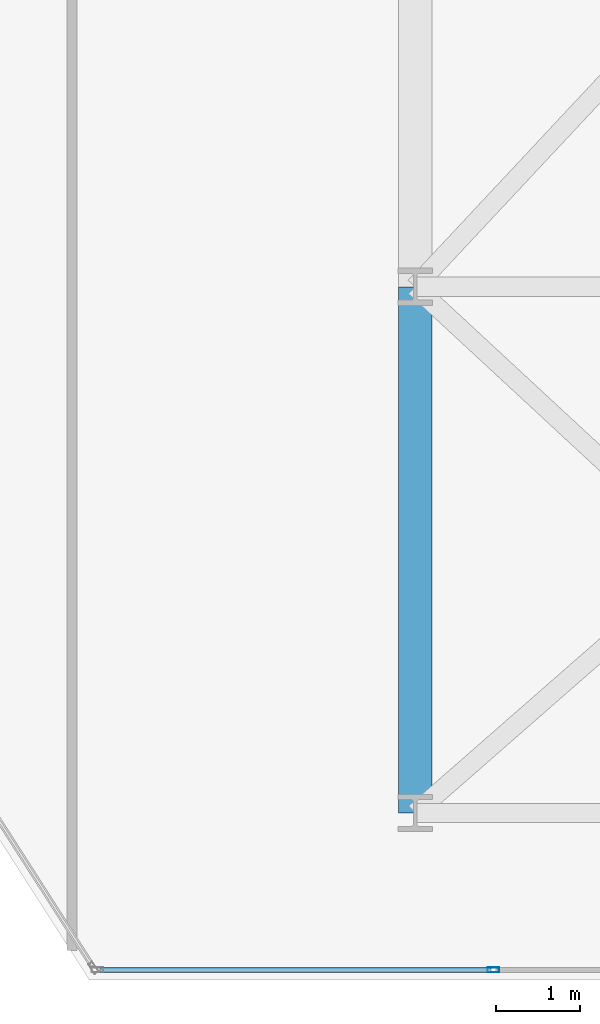
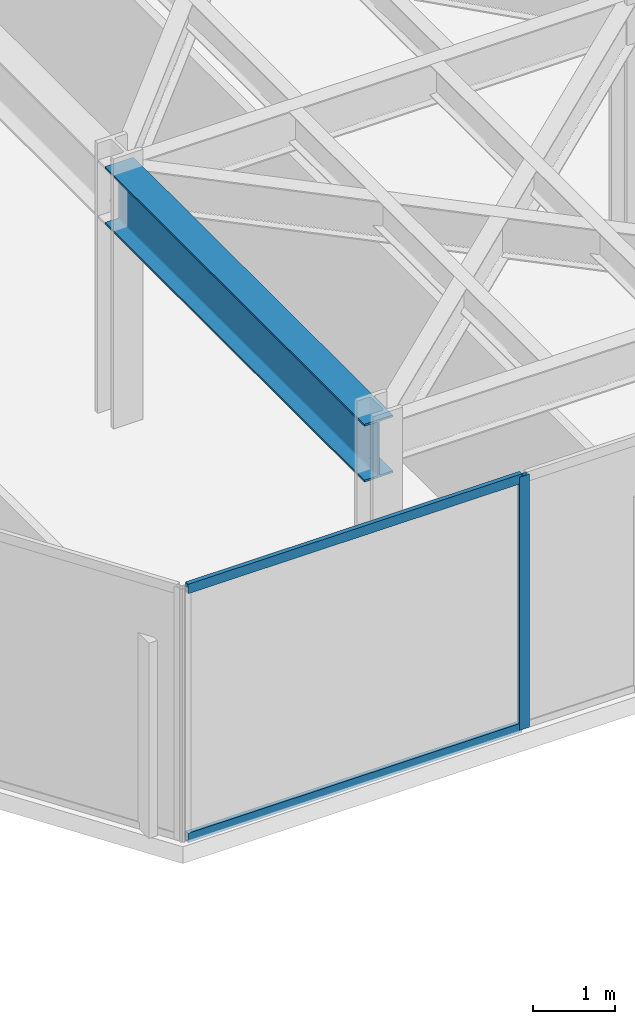
# One storey, part 16 of 26: 3 members, 1 beam, 1 element without a shape of its own.
"""IFC4 building model written with IfcOpenShell, lengths in metres."""

import ifcopenshell
import ifcopenshell.guid

model = None  # the IFC model being written
_history = None  # IfcOwnerHistory: only IFC2X3 demands one
_inside = {}  # id of a spatial element -> (the spatial element, [elements in it])
_under = {}  # id of a project, library or spatial element -> (it, [spatial elements below it])
_declared = {}  # id of a project -> (the project, [libraries it declares])
_typed = {}  # id of a type object -> (the type object, [elements of that type])
_made_of = {}  # id of a material, layer set ... -> (it, [elements and type objects made of it])


def new_model(schema):
    """Start an empty IFC model of exactly this schema.

    Asked for "IFC4X3", IfcOpenShell would pick the latest addendum, in which some entities
    have other attributes; the version numbers below select the first issue.
    IFC2X3 requires an IfcOwnerHistory on every rooted entity: one is made here for all.
    """
    global model, _history
    if schema == "IFC4X3":
        model = ifcopenshell.file(schema_version=(4, 3, 0, 0))
    else:
        model = ifcopenshell.file(schema=schema)
    _inside.clear()
    _under.clear()
    _declared.clear()
    _typed.clear()
    _made_of.clear()
    _history = None
    if model.schema == "IFC2X3":
        org = make("IfcOrganization", Name="unknown")
        user = make(
            "IfcPersonAndOrganization",
            ThePerson=make("IfcPerson", FamilyName="unknown"),
            TheOrganization=org,
        )
        app = make(
            "IfcApplication",
            ApplicationDeveloper=org,
            Version="unknown",
            ApplicationFullName="unknown",
            ApplicationIdentifier="unknown",
        )
        _history = make(
            "IfcOwnerHistory",
            OwningUser=user,
            OwningApplication=app,
            ChangeAction="ADDED",
            CreationDate=0,
        )
    return model


def make(cls, **values):
    """One entity of the class cls with the attributes given. An attribute that is None is left unset."""
    return model.create_entity(
        cls, **{name: value for name, value in values.items() if value is not None}
    )


def rooted(cls, **values):
    """An entity with a GlobalId (a new one), such as an element, a storey or a relation."""
    return make(cls, GlobalId=ifcopenshell.guid.new(), OwnerHistory=_history, **values)


def si_unit(unit_type, name, prefix=None):
    """IfcSIUnit, for example si_unit("LENGTHUNIT", "METRE", prefix="MILLI")."""
    return make("IfcSIUnit", UnitType=unit_type, Prefix=prefix, Name=name)


def assignment(units):
    """IfcUnitAssignment: the units of a project."""
    return None if units is None else make("IfcUnitAssignment", Units=units)


def point(xyz):
    """IfcCartesianPoint."""
    return None if xyz is None else make("IfcCartesianPoint", Coordinates=xyz)


def direction(xyz):
    """IfcDirection."""
    return None if xyz is None else make("IfcDirection", DirectionRatios=xyz)


def frame(location, z_axis=None, x_axis=None):
    """IfcAxis2Placement3D, a coordinate frame: its origin and axes. An axis left out is left unset."""
    return make(
        "IfcAxis2Placement3D",
        Location=point(location),
        Axis=direction(z_axis),
        RefDirection=direction(x_axis),
    )


def frame_2d(location, x_axis=None):
    """IfcAxis2Placement2D, a coordinate frame in the plane: its origin and x axis."""
    return make(
        "IfcAxis2Placement2D", Location=point(location), RefDirection=direction(x_axis)
    )


def origin():
    """The frame at (0, 0, 0) with its axes left unset."""
    return frame((0.0, 0.0, 0.0))


def origin_2d():
    """The frame at (0, 0) in the plane with its x axis left unset."""
    return frame_2d((0.0, 0.0))


def place(relative_to, where):
    """IfcLocalPlacement: puts the frame where relative to a parent placement (None: the world)."""
    return make(
        "IfcLocalPlacement", PlacementRelTo=relative_to, RelativePlacement=where
    )


def context(
    kind, dimensions, precision=None, world=None, true_north=None, identifier=None
):
    """IfcGeometricRepresentationContext, for example the 3D "Model" context."""
    return make(
        "IfcGeometricRepresentationContext",
        ContextIdentifier=identifier,
        ContextType=kind,
        CoordinateSpaceDimension=dimensions,
        Precision=precision,
        WorldCoordinateSystem=world,
        TrueNorth=true_north,
    )


def subcontext(parent, identifier, kind, view, scale=None):
    """IfcGeometricRepresentationSubContext, for example "Body" below "Model"."""
    return make(
        "IfcGeometricRepresentationSubContext",
        ContextIdentifier=identifier,
        ContextType=kind,
        ParentContext=parent,
        TargetScale=scale,
        TargetView=view,
    )


def project(units=None, contexts=None):
    """IfcProject with its units and contexts."""
    return rooted(
        "IfcProject",
        Name="project",
        RepresentationContexts=contexts,
        UnitsInContext=assignment(units),
    )


def spatial(cls, under=None, at=None, **own):
    """A site, building, storey or space (cls), placed at a placement, below another one or the project."""
    s = rooted(cls, ObjectPlacement=at, **own)
    if under is not None:
        _under.setdefault(under.id(), (under, []))[1].append(s)
    return s


def profile(cls, at=None, kind="AREA", **sizes):
    """A parametric profile (cls). Its sizes go by their IFC names, for example OverallWidth=200.0."""
    return make(cls, ProfileType=kind, Position=at, **sizes)


def hollow_rectangle(**sizes):
    """IfcRectangleHollowProfileDef."""
    return profile("IfcRectangleHollowProfileDef", **sizes)


def i_section(**sizes):
    """IfcIShapeProfileDef."""
    return profile("IfcIShapeProfileDef", **sizes)


def extrude(swept, where, along, depth):
    """IfcExtrudedAreaSolid: the profile swept, set in the frame where, extruded along a direction by depth."""
    return make(
        "IfcExtrudedAreaSolid",
        SweptArea=swept,
        Position=where,
        ExtrudedDirection=direction(along),
        Depth=depth,
    )


def shape(context_of_items, identifier, shape_type, items):
    """IfcShapeRepresentation: the items that make up one representation, for example the "Body"."""
    return make(
        "IfcShapeRepresentation",
        ContextOfItems=context_of_items,
        RepresentationIdentifier=identifier,
        RepresentationType=shape_type,
        Items=items,
    )


def material(Name=None, Category=None):
    """IfcMaterial."""
    return make("IfcMaterial", Name=Name, Category=Category)


def layer(
    of_material, thickness, ventilated=None, Name=None, Category=None, Priority=None
):
    """IfcMaterialLayer: one layer of a wall or slab, of a material (None: an air gap)."""
    return make(
        "IfcMaterialLayer",
        Material=of_material,
        LayerThickness=thickness,
        IsVentilated=ventilated,
        Name=Name,
        Category=Category,
        Priority=Priority,
    )


def layer_set(layers, Name=None):
    """IfcMaterialLayerSet."""
    return make("IfcMaterialLayerSet", MaterialLayers=layers, LayerSetName=Name)


def material_profile(
    of_material, cross_section, Name=None, Category=None, Priority=None
):
    """IfcMaterialProfile: a cross section and its material."""
    return make(
        "IfcMaterialProfile",
        Name=Name,
        Material=of_material,
        Profile=cross_section,
        Priority=Priority,
        Category=Category,
    )


def profile_set(profiles, Name=None, composite=None):
    """IfcMaterialProfileSet."""
    return make(
        "IfcMaterialProfileSet",
        Name=Name,
        MaterialProfiles=profiles,
        CompositeProfile=composite,
    )


def made_of(thing, what):
    """Note that an element or type object is made of a material, layer set ...; save() writes the relation."""
    if what is not None:
        _made_of.setdefault(what.id(), (what, []))[1].append(thing)
    return thing


def type_object(cls, material=None, **own):
    """A type object (cls), such as IfcWallType, which elements share."""
    return made_of(rooted(cls, **own), material)


def element(
    cls,
    number,
    at=None,
    inside=None,
    cuts=None,
    type_object=None,
    material=None,
    context=None,
    identifier="Body",
    shape_type=None,
    held_by="IfcProductDefinitionShape",
    body=None,
    shapes=None,
    **own,
):
    """One element of the class cls, such as IfcWall. Its Tag is "e" and its number.

    at: its placement. inside: the storey or other place that contains it. cuts: it is an
    opening in that element (IfcRelVoidsElement). A single representation is given by context,
    identifier, shape_type and body (its items); several are given by shapes. held_by: the class
    of the entity that holds the representations. save() writes the other relations.
    """
    e = rooted(cls, Tag="e%d" % number, ObjectPlacement=at, **own)
    if body is not None:
        shapes = [shape(context, identifier, shape_type, body)]
    if shapes is not None:
        e.Representation = make(held_by, Representations=shapes)
    if inside is not None:
        _inside.setdefault(inside.id(), (inside, []))[1].append(e)
    if cuts is not None:
        rooted(
            "IfcRelVoidsElement", RelatingBuildingElement=cuts, RelatedOpeningElement=e
        )
    if type_object is not None:
        _typed.setdefault(type_object.id(), (type_object, []))[1].append(e)
    return made_of(e, material)


def aggregate(whole, parts):
    """IfcRelAggregates: a whole, such as a stair, and the parts it consists of."""
    return rooted("IfcRelAggregates", RelatingObject=whole, RelatedObjects=parts)


def save(model, path):
    """Write the relations noted so far, then the file.

    IfcRelAggregates (storeys below a building ...), IfcRelContainedInSpatialStructure (elements
    in a storey), IfcRelDefinesByType, IfcRelAssociatesMaterial and IfcRelDeclares: one each for
    every whole, place, type object, material and project.
    """
    for whole, parts in _under.values():
        aggregate(whole, parts)
    for where, things in _inside.values():
        rooted(
            "IfcRelContainedInSpatialStructure",
            RelatedElements=things,
            RelatingStructure=where,
        )
    for kind, things in _typed.values():
        rooted("IfcRelDefinesByType", RelatedObjects=things, RelatingType=kind)
    for what, things in _made_of.values():
        rooted("IfcRelAssociatesMaterial", RelatedObjects=things, RelatingMaterial=what)
    for by, libraries in _declared.values():
        rooted("IfcRelDeclares", RelatingContext=by, RelatedDefinitions=libraries)
    model.write(path)


model = new_model("IFC4")

# Units and contexts
model_context = context("Model", 3, precision=1e-05, world=origin(), true_north=direction((0.0, 1.0)))
body_context = subcontext(model_context, "Body", "Model", "MODEL_VIEW")
ifc_project = project(units=[si_unit("LENGTHUNIT", "METRE"), si_unit("AREAUNIT", "SQUARE_METRE"), si_unit("VOLUMEUNIT", "CUBIC_METRE"), si_unit("PLANEANGLEUNIT", "RADIAN"), si_unit("MASSUNIT", "GRAM", prefix="KILO")], contexts=[model_context])

# Site, building, storey
site_placement = place(None, origin())
site = spatial("IfcSite", under=ifc_project, at=site_placement, CompositionType="ELEMENT")
building_placement = place(site_placement, origin())
building = spatial("IfcBuilding", under=site, at=building_placement, Name="Kravanh Interchange Tower", CompositionType="ELEMENT")
storey_placement = place(building_placement, frame((0.0, 0.0, 136.0)))
storey = spatial("IfcBuildingStorey", under=building, at=storey_placement, Name="L32", CompositionType="ELEMENT", Elevation=136.0)

# Curtain wall, members
ifc_material_1 = material(Name="Anodised Bronze Aluminium", Category="aluminium")
ifc_layer = layer(ifc_material_1, 0.179931640625)
ifc_layer_set = layer_set([ifc_layer], Name="Unitised Curtain Wall System CW-Z2 Mid Office")
curtain_wall_type = type_object("IfcCurtainWallType", Name="Unitised Curtain Wall System CW-Z2 Mid Office", PredefinedType="NOTDEFINED", material=ifc_layer_set)
curtain_wall_placement = place(storey_placement, origin())
curtain_wall = element("IfcCurtainWall", 1, at=curtain_wall_placement, inside=storey, type_object=curtain_wall_type, Name="L32 Unitised Curtain Wall CW-L32-03", PredefinedType="NOTDEFINED")
ifc_material_2 = material(Name="Anodised Bronze Aluminium", Category="aluminium")
ifc_material_profile_1 = material_profile(ifc_material_2, hollow_rectangle(XDim=0.06005859375, YDim=0.139892578125, WallThickness=0.00390625, at=origin_2d()), Name="ALU60X140X4")
ifc_profile_set_1 = profile_set([ifc_material_profile_1], Name="Anodised Bronze Aluminium")
member_type_1 = type_object("IfcMemberType", Name="Curtain Wall Mullion ALU60X140X4 Bronze", PredefinedType="MULLION", material=ifc_profile_set_1)
member_1_placement = place(storey_placement, frame((56.93798828125, 6.320068359375, 0.0), z_axis=(0.0, 0.0, 1.0), x_axis=(0.0, -1.0, 0.0)))
member_1 = element("IfcMember", 2, at=member_1_placement, type_object=member_type_1, Name="CW-Z2 mullion 2", PredefinedType="MULLION", context=body_context, shape_type="SweptSolid", body=[
    extrude(hollow_rectangle(XDim=0.06005859375, YDim=0.139892578125, WallThickness=0.00390625, at=origin_2d()), origin(), (0.0, 0.0, 1.0), 3.75),
])
ifc_material_3 = material(Name="Anodised Bronze Aluminium", Category="aluminium")
ifc_material_profile_2 = material_profile(ifc_material_3, hollow_rectangle(XDim=0.06005859375, YDim=0.139892578125, WallThickness=0.00390625, at=origin_2d()), Name="ALU60X140X4")
ifc_profile_set_2 = profile_set([ifc_material_profile_2], Name="Anodised Bronze Aluminium")
member_type_2 = type_object("IfcMemberType", Name="Curtain Wall Transom ALU60X140X4 Bronze", PredefinedType="USERDEFINED", material=ifc_profile_set_2)
member_2_placement = place(storey_placement, frame((56.907958984375, 6.320068359375, 0.030029296875), z_axis=(-1.0, 0.0, 0.0), x_axis=(0.0, -1.0, 0.0)))
member_2 = element("IfcMember", 3, at=member_2_placement, type_object=member_type_2, Name="CW-Z2 transom 2.1", ObjectType="TRANSOM", PredefinedType="USERDEFINED", context=body_context, shape_type="SweptSolid", body=[
    extrude(hollow_rectangle(XDim=0.06005859375, YDim=0.139892578125, WallThickness=0.00390625, at=origin_2d()), origin(), (0.0, 0.0, 1.0), 4.682373046875),
])
member_3_placement = place(storey_placement, frame((56.907958984375, 6.320068359375, 3.719970703125), z_axis=(-1.0, 0.0, 0.0), x_axis=(0.0, -1.0, 0.0)))
member_3 = element("IfcMember", 4, at=member_3_placement, type_object=member_type_2, Name="CW-Z2 transom 2.2", ObjectType="TRANSOM", PredefinedType="USERDEFINED", context=body_context, shape_type="SweptSolid", body=[
    extrude(hollow_rectangle(XDim=0.06005859375, YDim=0.139892578125, WallThickness=0.00390625, at=origin_2d()), origin(), (0.0, 0.0, 1.0), 4.682373046875),
])
aggregate(curtain_wall, [member_1, member_2, member_3])

# Beam
ifc_material_4 = material(Name="Structural Steel S355", Category="steel")
ifc_material_profile_3 = material_profile(ifc_material_4, i_section(OverallWidth=0.39990234375, OverallDepth=0.85595703125, WebThickness=0.018310546875, FlangeThickness=0.029296875, FilletRadius=0.02490234375, at=origin_2d()), Name="W33X201")
ifc_profile_set_3 = profile_set([ifc_material_profile_3], Name="Structural Steel S355")
beam_type = type_object("IfcBeamType", Name="Floor Beam W33X201 Structural Steel S355", PredefinedType="BEAM", material=ifc_profile_set_3)
beam_placement = place(storey_placement, frame((56.0, 8.199951171875, 3.322021484375), z_axis=(0.0, 1.0, 0.0), x_axis=(-1.0, 0.0, 0.0)))
element("IfcBeam", 5, at=beam_placement, inside=storey, type_object=beam_type, Name="L32 Primary Floor Girder 95", PredefinedType="BEAM", context=body_context, shape_type="SweptSolid", body=[
    extrude(i_section(OverallWidth=0.39990234375, OverallDepth=0.85595703125, WebThickness=0.018310546875, FlangeThickness=0.029296875, FilletRadius=0.02490234375, at=origin_2d()), origin(), (0.0, 0.0, 1.0), 6.300048828125),
])

save(model, "model.ifc")
